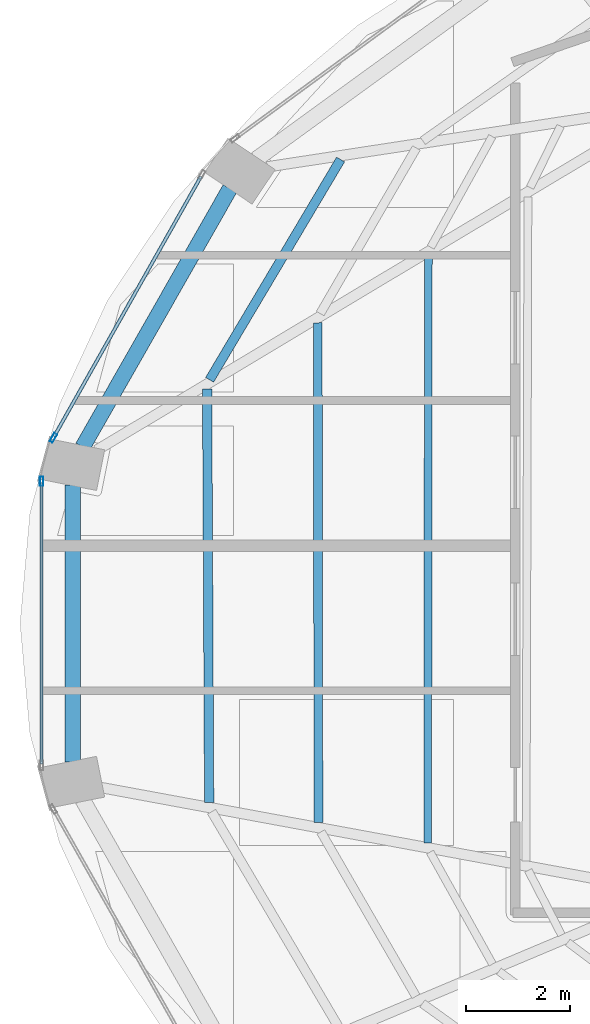
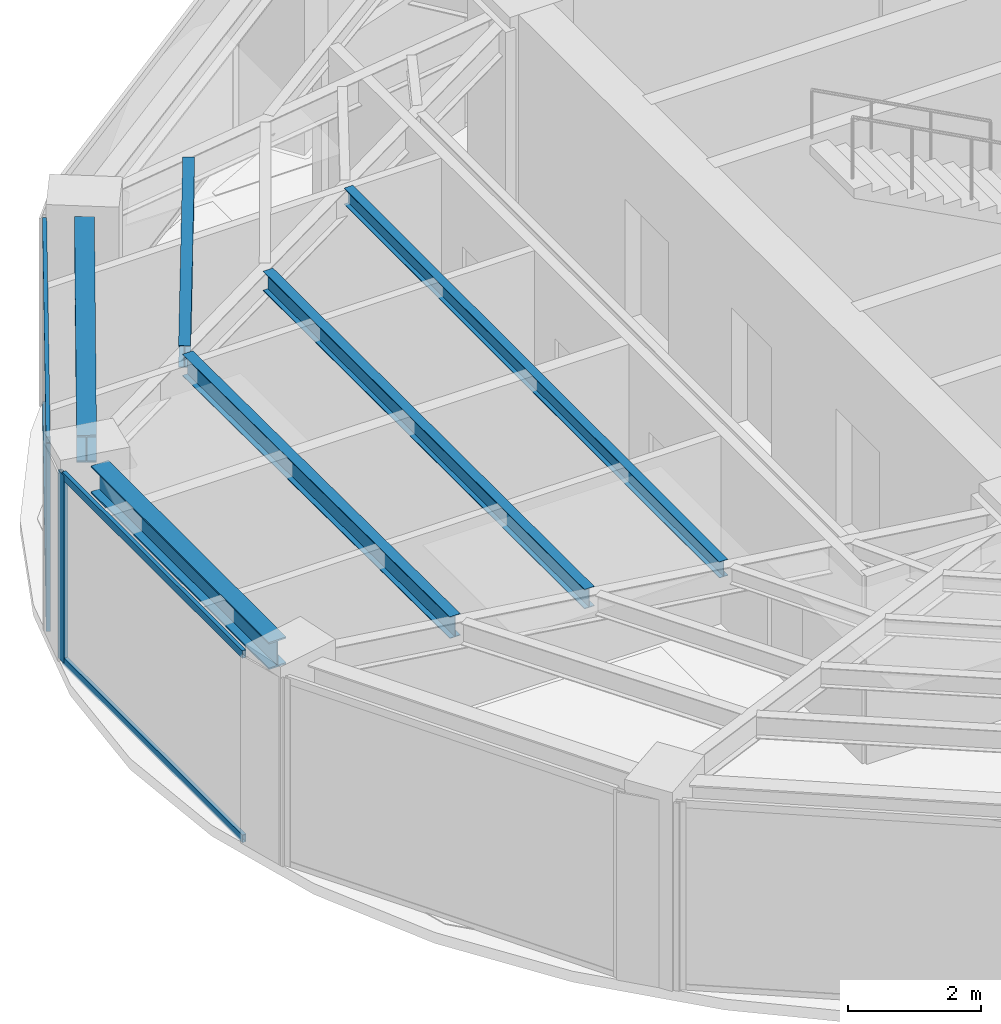
# One storey, part 8 of 23: 6 beams, 6 members, 2 elements without a shape of their own.
"""IFC4 building model written with IfcOpenShell, lengths in metres."""

from ifc_helpers import new_model, si_unit, direction, frame, origin, origin_2d, place, context, subcontext, project, spatial, hollow_rectangle, i_section, extrude, material, layer, layer_set, material_profile, profile_set, type_object, element, aggregate, save


model = new_model("IFC4")

# Units and contexts
model_context = context("Model", 3, precision=1e-05, world=origin(), true_north=direction((0.0, 1.0)))
body_context = subcontext(model_context, "Body", "Model", "MODEL_VIEW")
ifc_project = project(units=[si_unit("LENGTHUNIT", "METRE"), si_unit("AREAUNIT", "SQUARE_METRE"), si_unit("VOLUMEUNIT", "CUBIC_METRE"), si_unit("PLANEANGLEUNIT", "RADIAN"), si_unit("MASSUNIT", "GRAM", prefix="KILO")], contexts=[model_context])

# Site, building, storey
site_placement = place(None, origin())
site = spatial("IfcSite", under=ifc_project, at=site_placement, CompositionType="ELEMENT")
building_placement = place(site_placement, origin())
building = spatial("IfcBuilding", under=site, at=building_placement, Name="Lazwardi Medical Tower", CompositionType="ELEMENT")
storey_placement = place(building_placement, frame((0.0, 0.0, 198.47998046875)))
storey = spatial("IfcBuildingStorey", under=building, at=storey_placement, Name="L51", CompositionType="ELEMENT", Elevation=198.47998046875)

# Beams
ifc_material_1 = material(Name="Steel S355", Category="steel")
ifc_material_profile_1 = material_profile(ifc_material_1, i_section(OverallWidth=0.300048828125, OverallDepth=0.5, WebThickness=0.014404296875, FlangeThickness=0.028076171875, at=origin_2d()), Name="HEB 500")
ifc_profile_set_1 = profile_set([ifc_material_profile_1], Name="Steel S355")
beam_type_1 = type_object("IfcBeamType", Name="BM-RB-Z4", PredefinedType="BEAM", material=ifc_profile_set_1)
beam_1_placement = place(storey_placement, frame((17.84716796875, 33.983642578125, 3.197998046875), z_axis=(-0.495125273299, -0.868821594886, 0.0), x_axis=(0.868821594886, -0.495125273299, 0.0)))
element("IfcBeam", 1, at=beam_1_placement, inside=storey, type_object=beam_type_1, Name="Ring beam RB-05 B11 L51", PredefinedType="BEAM", context=body_context, shape_type="SweptSolid", body=[
    extrude(i_section(OverallWidth=0.300048828125, OverallDepth=0.5, WebThickness=0.014404296875, FlangeThickness=0.028076171875, at=origin_2d()), origin(), (0.0, 0.0, 1.0), 5.734130859375),
])
beam_2_placement = place(storey_placement, frame((14.81494140625, 28.27294921875, 3.197998046875), z_axis=(0.0, -1.0, 0.0), x_axis=(1.0, 0.0, 0.0)))
element("IfcBeam", 2, at=beam_2_placement, inside=storey, type_object=beam_type_1, Name="Ring beam RB-05 B12 L51", PredefinedType="BEAM", context=body_context, shape_type="SweptSolid", body=[
    extrude(i_section(OverallWidth=0.300048828125, OverallDepth=0.5, WebThickness=0.014404296875, FlangeThickness=0.028076171875, at=origin_2d()), origin(), (0.0, 0.0, 1.0), 5.345947265625),
])
ifc_material_profile_2 = material_profile(ifc_material_1, i_section(OverallWidth=0.179931640625, OverallDepth=0.39990234375, WebThickness=0.008544921875, FlangeThickness=0.013427734375, at=origin_2d()), Name="IPE 400")
ifc_profile_set_2 = profile_set([ifc_material_profile_2], Name="Steel S355")
beam_type_2 = type_object("IfcBeamType", Name="BM-SJ-01", PredefinedType="JOIST", material=ifc_profile_set_2)
beam_3_placement = place(storey_placement, frame((19.98095703125, 34.544921875, 3.248046875), z_axis=(-0.510967866251, -0.859599813668, 0.0), x_axis=(0.859599813668, -0.510967866251, 0.0)))
element("IfcBeam", 3, at=beam_3_placement, inside=storey, type_object=beam_type_2, Name="Secondary joist SJ-01 R1 B11 L51", PredefinedType="JOIST", context=body_context, shape_type="SweptSolid", body=[
    extrude(i_section(OverallWidth=0.179931640625, OverallDepth=0.39990234375, WebThickness=0.008544921875, FlangeThickness=0.013427734375, at=origin_2d()), origin(), (0.0, 0.0, 1.0), 4.94189453125),
])
beam_4_placement = place(storey_placement, frame((17.407958984375, 30.120361328125, 3.248046875), z_axis=(0.004929366644, -0.999987850598, 0.0), x_axis=(0.999987850598, 0.004929366644, 0.0)))
element("IfcBeam", 4, at=beam_4_placement, inside=storey, type_object=beam_type_2, Name="Secondary joist SJ-01 R1 B12 L51", PredefinedType="JOIST", context=body_context, shape_type="SweptSolid", body=[
    extrude(i_section(OverallWidth=0.179931640625, OverallDepth=0.39990234375, WebThickness=0.008544921875, FlangeThickness=0.013427734375, at=origin_2d()), origin(), (0.0, 0.0, 1.0), 7.973876953125),
])
ifc_material_profile_3 = material_profile(ifc_material_1, i_section(OverallWidth=0.169921875, OverallDepth=0.360107421875, WebThickness=0.008056640625, FlangeThickness=0.0126953125, at=origin_2d()), Name="IPE 360")
ifc_profile_set_3 = profile_set([ifc_material_profile_3], Name="Steel S355")
beam_type_3 = type_object("IfcBeamType", Name="BM-SJ-02", PredefinedType="JOIST", material=ifc_profile_set_3)
beam_5_placement = place(storey_placement, frame((19.541015625, 31.397705078125, 3.26806640625), z_axis=(0.001367606673, -0.999999064826, 0.0), x_axis=(0.999999064826, 0.001367606673, 0.0)))
element("IfcBeam", 5, at=beam_5_placement, inside=storey, type_object=beam_type_3, Name="Secondary joist SJ-02 R2 B12 L51", PredefinedType="JOIST", context=body_context, shape_type="SweptSolid", body=[
    extrude(i_section(OverallWidth=0.169921875, OverallDepth=0.360107421875, WebThickness=0.008056640625, FlangeThickness=0.0126953125, at=origin_2d()), origin(), (0.0, 0.0, 1.0), 9.639892578125),
])
ifc_material_profile_4 = material_profile(ifc_material_1, i_section(OverallWidth=0.14990234375, OverallDepth=0.300048828125, WebThickness=0.007080078125, FlangeThickness=0.0107421875, at=origin_2d()), Name="IPE 300")
ifc_profile_set_4 = profile_set([ifc_material_profile_4], Name="Steel S355")
beam_type_4 = type_object("IfcBeamType", Name="BM-SJ-03", PredefinedType="JOIST", material=ifc_profile_set_4)
beam_6_placement = place(storey_placement, frame((21.674072265625, 32.67529296875, 3.298095703125), z_axis=(-0.001166079235, -0.999999320129, 0.0), x_axis=(0.999999320129, -0.001166079235, 0.0)))
element("IfcBeam", 6, at=beam_6_placement, inside=storey, type_object=beam_type_4, Name="Secondary joist SJ-03 R3 B12 L51", PredefinedType="JOIST", context=body_context, shape_type="SweptSolid", body=[
    extrude(i_section(OverallWidth=0.14990234375, OverallDepth=0.300048828125, WebThickness=0.007080078125, FlangeThickness=0.0107421875, at=origin_2d()), origin(), (0.0, 0.0, 1.0), 11.305908203125),
])

# Curtain wall, member
ifc_material_2 = material(Name="Anodised bronze aluminium and solar control glazing", Category="aluminium")
ifc_layer = layer(ifc_material_2, 0.18994140625)
ifc_layer_set = layer_set([ifc_layer], Name="Anodised bronze aluminium and solar control glazing")
curtain_wall_type = type_object("IfcCurtainWallType", Name="CW-SYS-04", PredefinedType="NOTDEFINED", material=ifc_layer_set)
curtain_wall_1_placement = place(storey_placement, origin())
curtain_wall_1 = element("IfcCurtainWall", 7, at=curtain_wall_1_placement, inside=storey, type_object=curtain_wall_type, Name="L51 Unitised bronze curtain wall CW-04", PredefinedType="NOTDEFINED")
ifc_material_3 = material(Name="Anodised bronze aluminium", Category="aluminium")
ifc_material_profile_5 = material_profile(ifc_material_3, hollow_rectangle(XDim=0.06494140625, YDim=0.179931640625, WallThickness=0.00390625, at=origin_2d()), Name="ALU-MULLION 180x65x4")
ifc_profile_set_5 = profile_set([ifc_material_profile_5], Name="Anodised bronze aluminium")
member_type_1 = type_object("IfcMemberType", Name="CW-MUL-03", PredefinedType="MULLION", material=ifc_profile_set_5)
member_1_placement = place(storey_placement, frame((14.442626953125, 29.17822265625, 0.0), z_axis=(0.0, 0.0, 1.0), x_axis=(0.870651436011, -0.491900474661, 0.0)))
member_1 = element("IfcMember", 8, at=member_1_placement, type_object=member_type_1, Name="CW-04 mullion 2", PredefinedType="MULLION", context=body_context, shape_type="SweptSolid", body=[
    extrude(hollow_rectangle(XDim=0.06494140625, YDim=0.179931640625, WallThickness=0.00390625, at=origin_2d()), origin(), (0.0, 0.0, 1.0), 3.447998046875),
])

curtain_wall_2_placement = place(storey_placement, origin())
curtain_wall_2 = element("IfcCurtainWall", 9, at=curtain_wall_2_placement, inside=storey, type_object=curtain_wall_type, Name="L51 Unitised bronze curtain wall CW-04", PredefinedType="NOTDEFINED")
member_2_placement = place(storey_placement, frame((14.2158203125, 28.340576171875, 0.0), z_axis=(0.0, 0.0, 1.0), x_axis=(1.0, 0.0, 0.0)))
member_2 = element("IfcMember", 10, at=member_2_placement, type_object=member_type_1, Name="CW-04 mullion 1", PredefinedType="MULLION", context=body_context, shape_type="SweptSolid", body=[
    extrude(hollow_rectangle(XDim=0.06494140625, YDim=0.179931640625, WallThickness=0.00390625, at=origin_2d()), origin(), (0.0, 0.0, 1.0), 3.447998046875),
])

# Member
ifc_material_profile_6 = material_profile(ifc_material_3, hollow_rectangle(XDim=0.06494140625, YDim=0.139892578125, WallThickness=0.00341796875, at=origin_2d()), Name="ALU-TRANSOM 140x65x3.5")
ifc_profile_set_6 = profile_set([ifc_material_profile_6], Name="Anodised bronze aluminium")
member_type_2 = type_object("IfcMemberType", Name="CW-TRN-03", PredefinedType="USERDEFINED", material=ifc_profile_set_6)
member_3_placement = place(storey_placement, frame((17.28955078125, 34.21728515625, 0.032470703125), z_axis=(-0.491879719484, -0.87066316194, 0.0), x_axis=(0.87066316194, -0.491879719484, 0.0)))
member_3 = element("IfcMember", 11, at=member_3_placement, type_object=member_type_2, Name="CW-04 transom 1.1", ObjectType="TRANSOM", PredefinedType="USERDEFINED", context=body_context, shape_type="SweptSolid", body=[
    extrude(hollow_rectangle(XDim=0.06494140625, YDim=0.139892578125, WallThickness=0.00341796875, at=origin_2d()), origin(), (0.0, 0.0, 1.0), 5.755126953125),
])

member_4_placement = place(storey_placement, frame((17.28955078125, 34.21728515625, 3.41552734375), z_axis=(-0.491879719484, -0.87066316194, 0.0), x_axis=(0.87066316194, -0.491879719484, 0.0)))
member_4 = element("IfcMember", 12, at=member_4_placement, type_object=member_type_2, Name="CW-04 transom 1.2", ObjectType="TRANSOM", PredefinedType="USERDEFINED", context=body_context, shape_type="SweptSolid", body=[
    extrude(hollow_rectangle(XDim=0.06494140625, YDim=0.139892578125, WallThickness=0.00341796875, at=origin_2d()), origin(), (0.0, 0.0, 1.0), 5.755126953125),
])

aggregate(curtain_wall_1, [member_1, member_3, member_4])

member_5_placement = place(storey_placement, frame((14.2158203125, 28.30810546875, 0.032470703125), z_axis=(0.0, -1.0, 0.0), x_axis=(1.0, 0.0, 0.0)))
member_5 = element("IfcMember", 13, at=member_5_placement, type_object=member_type_2, Name="CW-04 transom 1.1", ObjectType="TRANSOM", PredefinedType="USERDEFINED", context=body_context, shape_type="SweptSolid", body=[
    extrude(hollow_rectangle(XDim=0.06494140625, YDim=0.139892578125, WallThickness=0.00341796875, at=origin_2d()), origin(), (0.0, 0.0, 1.0), 5.416015625),
])

member_6_placement = place(storey_placement, frame((14.2158203125, 28.30810546875, 3.41552734375), z_axis=(0.0, -1.0, 0.0), x_axis=(1.0, 0.0, 0.0)))
member_6 = element("IfcMember", 14, at=member_6_placement, type_object=member_type_2, Name="CW-04 transom 1.2", ObjectType="TRANSOM", PredefinedType="USERDEFINED", context=body_context, shape_type="SweptSolid", body=[
    extrude(hollow_rectangle(XDim=0.06494140625, YDim=0.139892578125, WallThickness=0.00341796875, at=origin_2d()), origin(), (0.0, 0.0, 1.0), 5.416015625),
])

aggregate(curtain_wall_2, [member_2, member_5, member_6])

save(model, "model.ifc")
